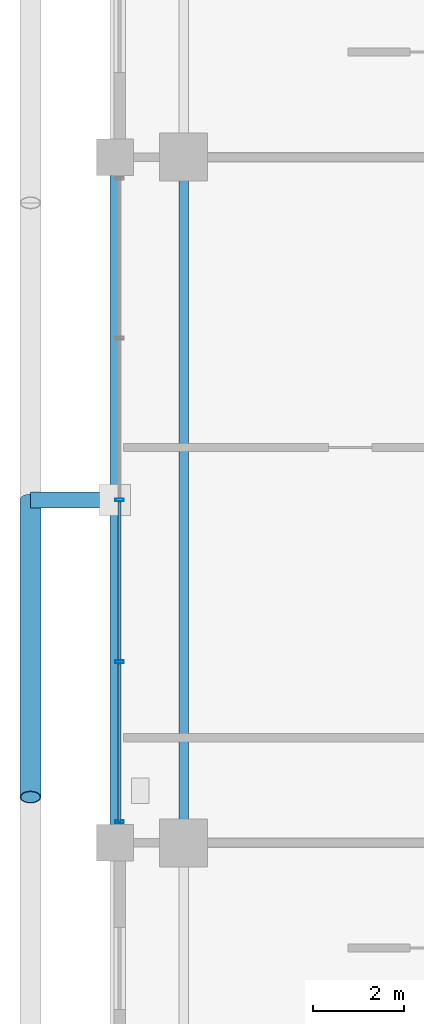
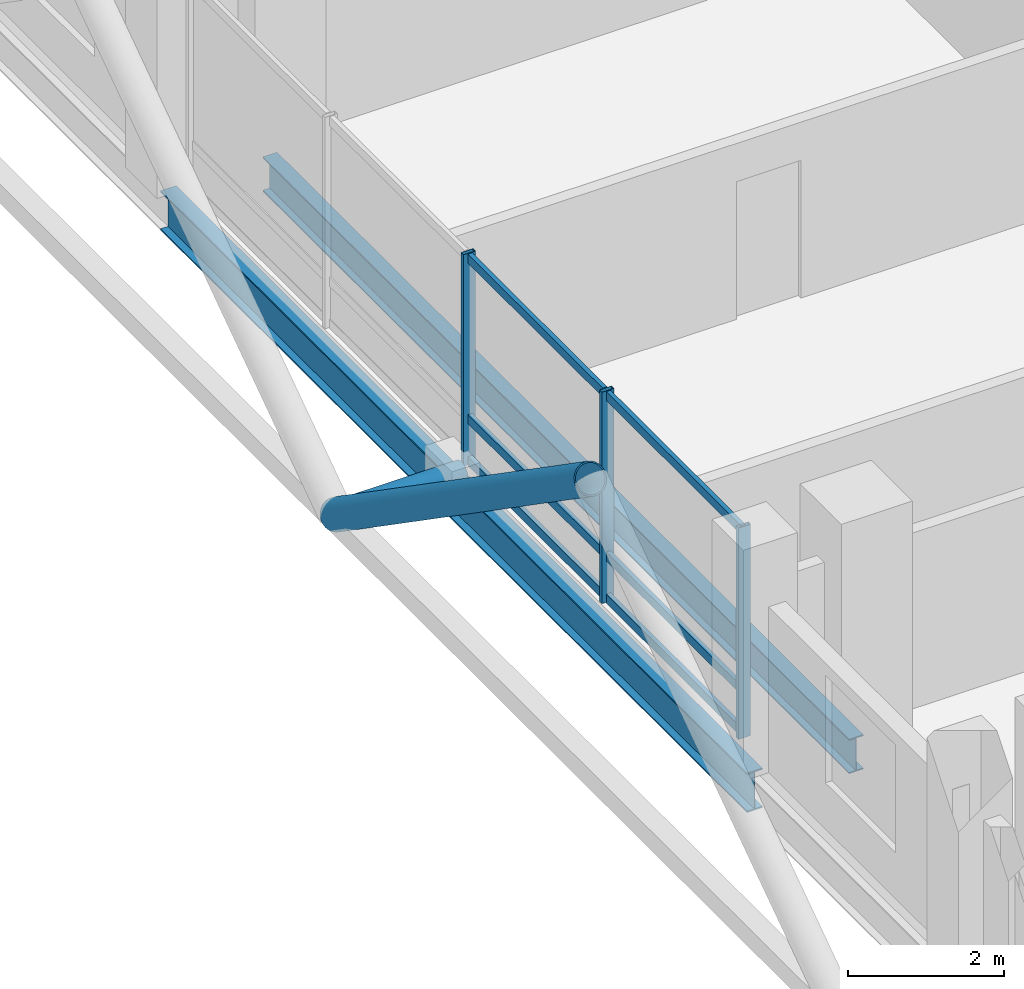
# One storey, part 7 of 25: 11 members, 2 beams, 1 element without a shape of its own.
"""IFC4 building model written with IfcOpenShell, lengths in metres."""

from ifc_helpers import new_model, si_unit, direction, frame, origin, origin_2d, place, context, subcontext, project, spatial, hollow_rectangle, hollow_circle, i_section, extrude, material, layer, layer_set, material_profile, profile_set, type_object, element, aggregate, save


model = new_model("IFC4")

# Units and contexts
model_context = context("Model", 3, precision=1e-05, world=origin(), true_north=direction((0.0, 1.0)))
body_context = subcontext(model_context, "Body", "Model", "MODEL_VIEW")
ifc_project = project(units=[si_unit("LENGTHUNIT", "METRE"), si_unit("AREAUNIT", "SQUARE_METRE"), si_unit("VOLUMEUNIT", "CUBIC_METRE"), si_unit("PLANEANGLEUNIT", "RADIAN"), si_unit("MASSUNIT", "GRAM", prefix="KILO")], contexts=[model_context])

# Site, building, storey
site_placement = place(None, origin())
site = spatial("IfcSite", under=ifc_project, at=site_placement, CompositionType="ELEMENT")
building_placement = place(site_placement, origin())
building = spatial("IfcBuilding", under=site, at=building_placement, Name="Barlavira Tower and Art Museum", CompositionType="ELEMENT")
storey_placement = place(building_placement, frame((0.0, 0.0, 208.800048828125)))
storey = spatial("IfcBuildingStorey", under=building, at=storey_placement, Name="L54", CompositionType="ELEMENT", Elevation=208.800048828125)

# Curtain wall, members
ifc_material_1 = material(Name="Low-iron coastal laminated glass", Category="glass")
ifc_layer = layer(ifc_material_1, 0.199951171875, Name="Low-iron coastal laminated glass")
ifc_layer_set = layer_set([ifc_layer], Name="Low-iron coastal laminated glass")
curtain_wall_type = type_object("IfcCurtainWallType", Name="Pale-Metal Unitised Curtain Wall Zone 3", PredefinedType="NOTDEFINED", material=ifc_layer_set)
curtain_wall_placement = place(storey_placement, origin())
curtain_wall = element("IfcCurtainWall", 1, at=curtain_wall_placement, inside=storey, type_object=curtain_wall_type, Name="L54 Curtain Wall CW3-L54-W-B3", PredefinedType="NOTDEFINED")
ifc_material_2 = material(Name="Pale anodised aluminium", Category="aluminium")
ifc_material_profile_1 = material_profile(ifc_material_2, hollow_rectangle(XDim=0.06494140625, YDim=0.179931640625, WallThickness=0.00390625, at=origin_2d()), Name="ALU-MULL 65x180x4")
ifc_profile_set_1 = profile_set([ifc_material_profile_1], Name="Pale anodised aluminium")
member_type_1 = type_object("IfcMemberType", Name="Curtain Wall Pale-Metal Mullion 65x180", PredefinedType="MULLION", material=ifc_profile_set_1)
member_1_placement = place(storey_placement, frame((-18.39990234375, 0.0, 0.0), z_axis=(0.0, 0.0, 1.0), x_axis=(0.0, -1.0, 0.0)))
member_1 = element("IfcMember", 2, at=member_1_placement, type_object=member_type_1, Name="CW3-L54-W-B3 Mullion 2", PredefinedType="MULLION", context=body_context, shape_type="SweptSolid", body=[
    extrude(hollow_rectangle(XDim=0.06494140625, YDim=0.179931640625, WallThickness=0.00390625, at=origin_2d()), origin(), (0.0, 0.0, 1.0), 3.300048828125),
])
member_2_placement = place(storey_placement, frame((-18.39990234375, -3.5400390625, 0.0), z_axis=(0.0, 0.0, 1.0), x_axis=(0.0, -1.0, 0.0)))
member_2 = element("IfcMember", 3, at=member_2_placement, type_object=member_type_1, Name="CW3-L54-W-B3 Mullion 3", PredefinedType="MULLION", context=body_context, shape_type="SweptSolid", body=[
    extrude(hollow_rectangle(XDim=0.06494140625, YDim=0.179931640625, WallThickness=0.00390625, at=origin_2d()), origin(), (0.0, 0.0, 1.0), 3.300048828125),
])
member_3_placement = place(storey_placement, frame((-18.39990234375, -7.034912109375, 0.0), z_axis=(0.0, 0.0, 1.0), x_axis=(0.0, -1.0, 0.0)))
member_3 = element("IfcMember", 4, at=member_3_placement, type_object=member_type_1, Name="CW3-L54-W-B3 Mullion 4", PredefinedType="MULLION", context=body_context, shape_type="SweptSolid", body=[
    extrude(hollow_rectangle(XDim=0.06494140625, YDim=0.179931640625, WallThickness=0.00390625, at=origin_2d()), origin(), (0.0, 0.0, 1.0), 3.300048828125),
])
ifc_material_profile_2 = material_profile(ifc_material_2, hollow_rectangle(XDim=0.06494140625, YDim=0.139892578125, WallThickness=0.00390625, at=origin_2d()), Name="ALU-TRAN 65x140x4")
ifc_profile_set_2 = profile_set([ifc_material_profile_2], Name="Pale anodised aluminium")
member_type_2 = type_object("IfcMemberType", Name="Curtain Wall Pale-Metal Transom 65x140", PredefinedType="USERDEFINED", material=ifc_profile_set_2)
member_4_placement = place(storey_placement, frame((-18.39990234375, -0.044921875, 0.070068359375), z_axis=(0.0, -1.0, 0.0), x_axis=(1.0, 0.0, 0.0)))
member_4 = element("IfcMember", 5, at=member_4_placement, type_object=member_type_2, Name="CW3-L54-W-B3 Transom 2.1", ObjectType="TRANSOM", PredefinedType="USERDEFINED", context=body_context, shape_type="SweptSolid", body=[
    extrude(hollow_rectangle(XDim=0.06494140625, YDim=0.139892578125, WallThickness=0.00390625, at=origin_2d()), origin(), (0.0, 0.0, 1.0), 3.4501953125),
])
member_5_placement = place(storey_placement, frame((-18.39990234375, -0.044921875, 0.725830078125), z_axis=(0.0, -1.0, 0.0), x_axis=(1.0, 0.0, 0.0)))
member_5 = element("IfcMember", 6, at=member_5_placement, type_object=member_type_2, Name="CW3-L54-W-B3 Transom 2.2", ObjectType="TRANSOM", PredefinedType="USERDEFINED", context=body_context, shape_type="SweptSolid", body=[
    extrude(hollow_rectangle(XDim=0.06494140625, YDim=0.139892578125, WallThickness=0.00390625, at=origin_2d()), origin(), (0.0, 0.0, 1.0), 3.4501953125),
])
member_6_placement = place(storey_placement, frame((-18.39990234375, -0.044921875, 3.22998046875), z_axis=(0.0, -1.0, 0.0), x_axis=(1.0, 0.0, 0.0)))
member_6 = element("IfcMember", 7, at=member_6_placement, type_object=member_type_2, Name="CW3-L54-W-B3 Transom 2.3", ObjectType="TRANSOM", PredefinedType="USERDEFINED", context=body_context, shape_type="SweptSolid", body=[
    extrude(hollow_rectangle(XDim=0.06494140625, YDim=0.139892578125, WallThickness=0.00390625, at=origin_2d()), origin(), (0.0, 0.0, 1.0), 3.4501953125),
])
member_7_placement = place(storey_placement, frame((-18.39990234375, -3.5849609375, 0.070068359375), z_axis=(0.0, -1.0, 0.0), x_axis=(1.0, 0.0, 0.0)))
member_7 = element("IfcMember", 8, at=member_7_placement, type_object=member_type_2, Name="CW3-L54-W-B3 Transom 3.1", ObjectType="TRANSOM", PredefinedType="USERDEFINED", context=body_context, shape_type="SweptSolid", body=[
    extrude(hollow_rectangle(XDim=0.06494140625, YDim=0.139892578125, WallThickness=0.00390625, at=origin_2d()), origin(), (0.0, 0.0, 1.0), 3.449951171875),
])
member_8_placement = place(storey_placement, frame((-18.39990234375, -3.5849609375, 0.725830078125), z_axis=(0.0, -1.0, 0.0), x_axis=(1.0, 0.0, 0.0)))
member_8 = element("IfcMember", 9, at=member_8_placement, type_object=member_type_2, Name="CW3-L54-W-B3 Transom 3.2", ObjectType="TRANSOM", PredefinedType="USERDEFINED", context=body_context, shape_type="SweptSolid", body=[
    extrude(hollow_rectangle(XDim=0.06494140625, YDim=0.139892578125, WallThickness=0.00390625, at=origin_2d()), origin(), (0.0, 0.0, 1.0), 3.449951171875),
])
member_9_placement = place(storey_placement, frame((-18.39990234375, -3.5849609375, 3.22998046875), z_axis=(0.0, -1.0, 0.0), x_axis=(1.0, 0.0, 0.0)))
member_9 = element("IfcMember", 10, at=member_9_placement, type_object=member_type_2, Name="CW3-L54-W-B3 Transom 3.3", ObjectType="TRANSOM", PredefinedType="USERDEFINED", context=body_context, shape_type="SweptSolid", body=[
    extrude(hollow_rectangle(XDim=0.06494140625, YDim=0.139892578125, WallThickness=0.00390625, at=origin_2d()), origin(), (0.0, 0.0, 1.0), 3.449951171875),
])
aggregate(curtain_wall, [member_1, member_2, member_3, member_4, member_5, member_6, member_7, member_8, member_9])

# Members
ifc_material_3 = material(Name="Steel S355", Category="steel")
ifc_material_profile_3 = material_profile(ifc_material_3, hollow_circle(Radius=0.228515625, WallThickness=0.02001953125, at=origin_2d()), Name="CHS 457.0x20.0")
ifc_profile_set_3 = profile_set([ifc_material_profile_3], Name="Steel S355")
member_type_3 = type_object("IfcMemberType", Name="Pale-Metal Exoskeleton Diagrid Tube CHS 457x20 Steel S355", PredefinedType="BRACE", material=ifc_profile_set_3)
member_10_placement = place(storey_placement, frame((-20.35009765625, 0.0, -0.1201171875), z_axis=(0.0, -0.822192191644, 0.56920997883), x_axis=(1.0, 0.0, 0.0)))
element("IfcMember", 11, at=member_10_placement, inside=storey, type_object=member_type_3, Name="L54 Exoskeleton Diagrid Tube W", PredefinedType="BRACE", context=body_context, shape_type="SweptSolid", body=[
    extrude(hollow_circle(Radius=0.228515625, WallThickness=0.02001953125, at=origin_2d()), origin(), (0.0, 0.0, 1.0), 7.90576171875),
])
ifc_material_profile_4 = material_profile(ifc_material_3, hollow_circle(Radius=0.177734375, WallThickness=0.01611328125, at=origin_2d()), Name="CHS 355.6x16.0")
ifc_profile_set_4 = profile_set([ifc_material_profile_4], Name="Steel S355")
member_type_4 = type_object("IfcMemberType", Name="Pale-Metal Exoskeleton Tie Strut CHS 356x16 Steel S355", PredefinedType="STRUT", material=ifc_profile_set_4)
member_11_placement = place(storey_placement, frame((-20.35009765625, 0.0, -0.1201171875), z_axis=(1.0, 0.0, 0.0), x_axis=(0.0, 1.0, 0.0)))
element("IfcMember", 12, at=member_11_placement, inside=storey, type_object=member_type_4, Name="L54 Exoskeleton Tie Strut W2", PredefinedType="STRUT", context=body_context, shape_type="SweptSolid", body=[
    extrude(hollow_circle(Radius=0.177734375, WallThickness=0.01611328125, at=origin_2d()), origin(), (0.0, 0.0, 1.0), 1.85009765625),
])

# Beams
ifc_material_profile_5 = material_profile(ifc_material_3, i_section(OverallWidth=0.22998046875, OverallDepth=0.616943359375, WebThickness=0.01318359375, FlangeThickness=0.022216796875, at=origin_2d()), Name="W610x140.0")
ifc_profile_set_5 = profile_set([ifc_material_profile_5], Name="Steel S355")
beam_type_1 = type_object("IfcBeamType", Name="Upper Shaft Spandrel Edge Beam W610x140 Steel S355", PredefinedType="SPANDREL", material=ifc_profile_set_5)
beam_1_placement = place(storey_placement, frame((-18.5, -7.5, -0.528564453125), z_axis=(0.0, 1.0, 0.0), x_axis=(-1.0, 0.0, 0.0)))
element("IfcBeam", 13, at=beam_1_placement, inside=storey, type_object=beam_type_1, Name="L54 Spandrel 14", PredefinedType="SPANDREL", context=body_context, shape_type="SweptSolid", body=[
    extrude(i_section(OverallWidth=0.22998046875, OverallDepth=0.616943359375, WebThickness=0.01318359375, FlangeThickness=0.022216796875, at=origin_2d()), origin(), (0.0, 0.0, 1.0), 15.0),
])
ifc_material_profile_6 = material_profile(ifc_material_3, i_section(OverallWidth=0.2109375, OverallDepth=0.5390625, WebThickness=0.01171875, FlangeThickness=0.018798828125, at=origin_2d()), Name="W530x109.0")
ifc_profile_set_6 = profile_set([ifc_material_profile_6], Name="Steel S355")
beam_type_2 = type_object("IfcBeamType", Name="Zone 3-4 Primary Floor Girder W530x109 Steel S355", PredefinedType="BEAM", material=ifc_profile_set_6)
beam_2_placement = place(storey_placement, frame((-17.0, -7.5, -0.489501953125), z_axis=(0.0, 1.0, 0.0), x_axis=(-1.0, 0.0, 0.0)))
element("IfcBeam", 14, at=beam_2_placement, inside=storey, type_object=beam_type_2, Name="L54 Girder M-W2", PredefinedType="BEAM", context=body_context, shape_type="SweptSolid", body=[
    extrude(i_section(OverallWidth=0.2109375, OverallDepth=0.5390625, WebThickness=0.01171875, FlangeThickness=0.018798828125, at=origin_2d()), origin(), (0.0, 0.0, 1.0), 15.0),
])

save(model, "model.ifc")
